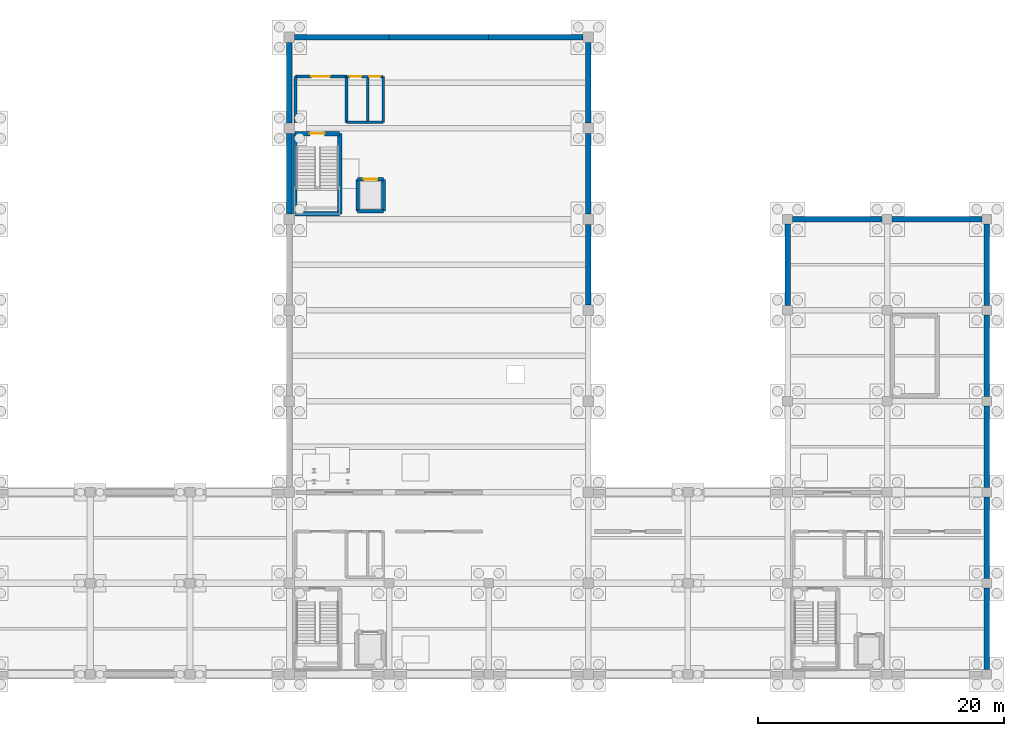
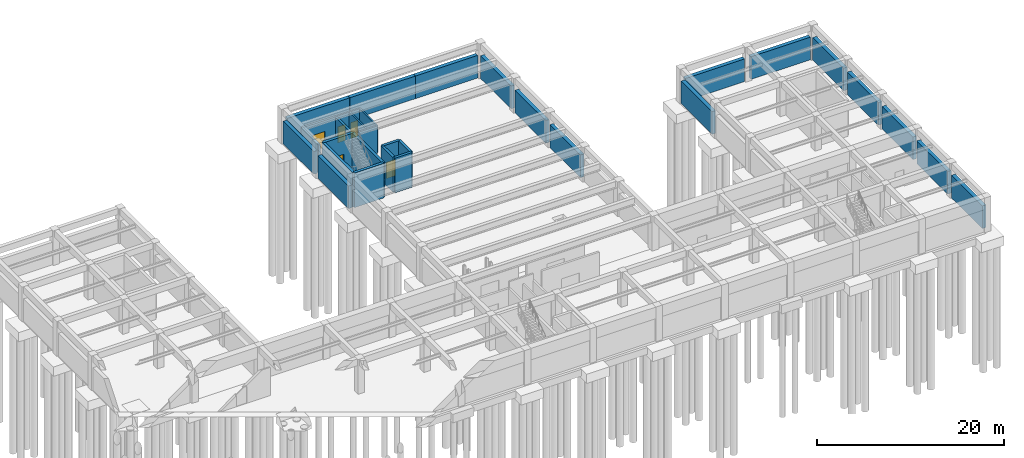
# One storey, part 10 of 14: 31 walls, 5 doors, 5 openings.
"""IFC4 building model written with IfcOpenShell, lengths in metres."""

from ifc_helpers import new_model, si_unit, direction, frame, frame_2d, origin, place, context, subcontext, project, spatial, rectangle, extrude, material, layer, layer_set, type_object, element, fill, save


model = new_model("IFC4")

# Units and contexts
model_context = context("Model", 3, precision=1e-05, world=origin(), true_north=direction((0.0, 1.0)))
body_context = subcontext(model_context, "Body", "Model", "MODEL_VIEW")
ifc_project = project(units=[si_unit("LENGTHUNIT", "METRE"), si_unit("AREAUNIT", "SQUARE_METRE"), si_unit("VOLUMEUNIT", "CUBIC_METRE"), si_unit("PLANEANGLEUNIT", "RADIAN"), si_unit("MASSUNIT", "GRAM", prefix="KILO")], contexts=[model_context])

# Site, building, storey
site_placement = place(None, origin())
site = spatial("IfcSite", under=ifc_project, at=site_placement, CompositionType="ELEMENT")
building_placement = place(site_placement, origin())
building = spatial("IfcBuilding", under=site, at=building_placement, Name="Cimatlan Art Gallery", CompositionType="ELEMENT")
storey_placement = place(building_placement, frame((0.0, 0.0, -4.800048828125)))
storey = spatial("IfcBuildingStorey", under=building, at=storey_placement, Name="B1", CompositionType="ELEMENT", Elevation=-4.800048828125)

# Walls
ifc_material_1 = material(Name="Concrete C40/50", Category="concrete")
ifc_layer_1 = layer(ifc_material_1, 0.31005859375)
ifc_layer_set_1 = layer_set([ifc_layer_1], Name="Concrete C40/50")
wall_type_1 = type_object("IfcWallType", Name="W-CORE-310", PredefinedType="SHEAR", material=ifc_layer_set_1)
wall_1_placement = place(storey_placement, frame((80.449951171875, 61.550048828125, 0.0), z_axis=(0.0, 0.0, 1.0), x_axis=(0.0, 1.0, 0.0)))
element("IfcWall", 1, at=wall_1_placement, inside=storey, type_object=wall_type_1, Name="WL-SHFT-C6-B1-LW", PredefinedType="SHEAR", context=body_context, shape_type="SweptSolid", body=[
    extrude(rectangle(XDim=2.599853515625, YDim=0.31005859375, at=frame_2d((1.2998046875, 0.0))), origin(), (0.0, 0.0, 1.0), 4.51513671875),
])
wall_2_placement = place(storey_placement, frame((80.449951171875, 61.550048828125, 0.0), z_axis=(0.0, 0.0, 1.0), x_axis=(1.0, 0.0, 0.0)))
element("IfcWall", 2, at=wall_2_placement, inside=storey, type_object=wall_type_1, Name="WL-SHFT-C6-B1-LS", PredefinedType="SHEAR", context=body_context, shape_type="SweptSolid", body=[
    extrude(rectangle(XDim=2.10009765625, YDim=0.31005859375, at=frame_2d((1.050048828125, 0.0))), origin(), (0.0, 0.0, 1.0), 4.51513671875),
])
wall_3_placement = place(storey_placement, frame((82.550048828125, 61.550048828125, 0.0), z_axis=(0.0, 0.0, 1.0), x_axis=(0.0, 1.0, 0.0)))
element("IfcWall", 3, at=wall_3_placement, inside=storey, type_object=wall_type_1, Name="WL-SHFT-C6-B1-LE", PredefinedType="SHEAR", context=body_context, shape_type="SweptSolid", body=[
    extrude(rectangle(XDim=2.599853515625, YDim=0.31005859375, at=frame_2d((1.2998046875, 0.0))), origin(), (0.0, 0.0, 1.0), 4.51513671875),
])

# Wall, opening, door
wall_4_placement = place(storey_placement, frame((80.449951171875, 64.14990234375, 0.0), z_axis=(0.0, 0.0, 1.0), x_axis=(1.0, 0.0, 0.0)))
wall_4 = element("IfcWall", 4, at=wall_4_placement, inside=storey, type_object=wall_type_1, Name="WL-SHFT-C6-B1-LN", PredefinedType="SHEAR", context=body_context, shape_type="SweptSolid", body=[
    extrude(rectangle(XDim=2.10009765625, YDim=0.31005859375, at=frame_2d((1.050048828125, 0.0))), origin(), (0.0, 0.0, 1.0), 4.51513671875),
])
opening_1_placement = place(wall_4_placement, frame((0.5, 0.0, 0.0)))
opening_1 = element("IfcOpeningElement", 5, at=opening_1_placement, cuts=wall_4, Name="Opening LD-C6-B1", PredefinedType="OPENING", context=body_context, shape_type="SweptSolid", body=[
    extrude(rectangle(XDim=1.10009765625, YDim=2.14990234375, at=frame_2d((0.550048828125, 1.074951171875))), frame((0.0, 0.1650390625, 0.0), z_axis=(0.0, -1.0, 0.0), x_axis=(1.0, 0.0, 0.0)), (0.0, 0.0, 1.0), 0.330078125),
])
ifc_material_2 = material(Name="Brushed bronze sliding lift landing door")
door_type_1 = type_object("IfcDoorType", Name="LD-PS-1100", OperationType="NOTDEFINED", PredefinedType="DOOR", material=ifc_material_2)
door_1_placement = place(opening_1_placement, origin())
door_1 = element("IfcDoor", 6, at=door_1_placement, inside=storey, type_object=door_type_1, Name="LD-PL-03-B1", OperationType="SLIDING_TO_LEFT", OverallHeight=2.14990234375, OverallWidth=1.10009765625, PredefinedType="DOOR", context=body_context, shape_type="SweptSolid", body=[
    extrude(rectangle(XDim=1.10009765625, YDim=2.14990234375, at=frame_2d((0.550048828125, 1.074951171875))), frame((0.0, 0.02490234375, 0.0), z_axis=(0.0, -1.0, 0.0), x_axis=(1.0, 0.0, 0.0)), (0.0, 0.0, 1.0), 0.050048828125),
])
fill(opening_1, door_1)

# Walls
ifc_layer_2 = layer(ifc_material_1, 0.35009765625)
ifc_layer_set_2 = layer_set([ifc_layer_2], Name="Concrete C40/50")
wall_type_2 = type_object("IfcWallType", Name="W-CORE-350", PredefinedType="SHEAR", material=ifc_layer_set_2)
wall_5_placement = place(storey_placement, frame((75.340087890625, 61.340087890625, 0.0), z_axis=(0.0, 0.0, 1.0), x_axis=(0.0, 1.0, 0.0)))
element("IfcWall", 7, at=wall_5_placement, inside=storey, type_object=wall_type_2, Name="WL-CORE-C6-B1-SW", PredefinedType="SHEAR", context=body_context, shape_type="SweptSolid", body=[
    extrude(rectangle(XDim=6.52001953125, YDim=0.35009765625, at=frame_2d((3.260009765625, 0.0))), origin(), (0.0, 0.0, 1.0), 4.51513671875),
])
wall_6_placement = place(storey_placement, frame((75.340087890625, 61.340087890625, 0.0), z_axis=(0.0, 0.0, 1.0), x_axis=(1.0, 0.0, 0.0)))
element("IfcWall", 8, at=wall_6_placement, inside=storey, type_object=wall_type_2, Name="WL-CORE-C6-B1-SS", PredefinedType="SHEAR", context=body_context, shape_type="SweptSolid", body=[
    extrude(rectangle(XDim=3.639892578125, YDim=0.35009765625, at=frame_2d((1.81982421875, 0.0))), origin(), (0.0, 0.0, 1.0), 4.51513671875),
])
wall_7_placement = place(storey_placement, frame((78.97998046875, 61.340087890625, 0.0), z_axis=(0.0, 0.0, 1.0), x_axis=(0.0, 1.0, 0.0)))
element("IfcWall", 9, at=wall_7_placement, inside=storey, type_object=wall_type_2, Name="WL-CORE-C6-B1-SE", PredefinedType="SHEAR", context=body_context, shape_type="SweptSolid", body=[
    extrude(rectangle(XDim=6.52001953125, YDim=0.35009765625, at=frame_2d((3.260009765625, 0.0))), origin(), (0.0, 0.0, 1.0), 4.51513671875),
])

# Wall, opening, door
wall_8_placement = place(storey_placement, frame((75.340087890625, 67.860107421875, 0.0), z_axis=(0.0, 0.0, 1.0), x_axis=(1.0, 0.0, 0.0)))
wall_8 = element("IfcWall", 10, at=wall_8_placement, inside=storey, type_object=wall_type_2, Name="WL-CORE-C6-B1-SN", PredefinedType="SHEAR", context=body_context, shape_type="SweptSolid", body=[
    extrude(rectangle(XDim=3.639892578125, YDim=0.35009765625, at=frame_2d((1.81982421875, 0.0))), origin(), (0.0, 0.0, 1.0), 4.51513671875),
])
opening_2_placement = place(wall_8_placement, frame((1.219970703125, 0.0, 0.0)))
opening_2 = element("IfcOpeningElement", 11, at=opening_2_placement, cuts=wall_8, Name="Opening FD-C6-B1", PredefinedType="OPENING", context=body_context, shape_type="SweptSolid", body=[
    extrude(rectangle(XDim=1.199951171875, YDim=2.14990234375, at=frame_2d((0.60009765625, 1.074951171875))), frame((0.0, 0.18505859375, 0.0), z_axis=(0.0, -1.0, 0.0), x_axis=(1.0, 0.0, 0.0)), (0.0, 0.0, 1.0), 0.3701171875),
])
ifc_material_3 = material(Name="Fire-resisting steel acoustic stair door", Category="steel")
door_type_2 = type_object("IfcDoorType", Name="FD-ST-1200", OperationType="NOTDEFINED", PredefinedType="DOOR", material=ifc_material_3)
door_2_placement = place(opening_2_placement, origin())
door_2 = element("IfcDoor", 12, at=door_2_placement, inside=storey, type_object=door_type_2, Name="DR-C6-B1-ST", OperationType="SINGLE_SWING_LEFT", OverallHeight=2.14990234375, OverallWidth=1.199951171875, PredefinedType="DOOR", context=body_context, shape_type="SweptSolid", body=[
    extrude(rectangle(XDim=1.199951171875, YDim=2.14990234375, at=frame_2d((0.60009765625, 1.074951171875))), frame((0.0, 0.02490234375, 0.0), z_axis=(0.0, -1.0, 0.0), x_axis=(1.0, 0.0, 0.0)), (0.0, 0.0, 1.0), 0.050048828125),
])
fill(opening_2, door_2)

ifc_material_4 = material(Name="Precast concrete C40/50", Category="concrete")
ifc_layer_3 = layer(ifc_material_4, 0.2451171875)
ifc_layer_set_3 = layer_set([ifc_layer_3], Name="Precast concrete C40/50")
wall_type_3 = type_object("IfcWallType", Name="W-FFL-245", PredefinedType="PARTITIONING", material=ifc_layer_set_3)
wall_9_placement = place(storey_placement, frame((75.3798828125, 72.5, 0.0), z_axis=(0.0, 0.0, 1.0), x_axis=(1.0, 0.0, 0.0)))
wall_9 = element("IfcWall", 13, at=wall_9_placement, inside=storey, type_object=wall_type_3, Name="WL-LOB-C6-B1-N", PredefinedType="PARTITIONING", context=body_context, shape_type="SweptSolid", body=[
    extrude(rectangle(XDim=4.170166015625, YDim=0.2451171875, at=frame_2d((2.0849609375, 0.0))), origin(), (0.0, 0.0, 1.0), 3.5830078125),
])
opening_3_placement = place(wall_9_placement, frame((1.300048828125, 0.0, 0.0)))
opening_3 = element("IfcOpeningElement", 14, at=opening_3_placement, cuts=wall_9, Name="Opening FDL-C6-B1", PredefinedType="OPENING", context=body_context, shape_type="SweptSolid", body=[
    extrude(rectangle(XDim=1.5, YDim=2.14990234375, at=frame_2d((0.75, 1.074951171875))), frame((0.0, 0.132568359375, 0.0), z_axis=(0.0, -1.0, 0.0), x_axis=(1.0, 0.0, 0.0)), (0.0, 0.0, 1.0), 0.26513671875),
])
ifc_material_5 = material(Name="Fire-resisting double-seal lobby door")
door_type_3 = type_object("IfcDoorType", Name="FD-LB-1500", OperationType="NOTDEFINED", PredefinedType="DOOR", material=ifc_material_5)
door_3_placement = place(opening_3_placement, origin())
door_3 = element("IfcDoor", 15, at=door_3_placement, inside=storey, type_object=door_type_3, Name="DR-LOB-C6-B1", OperationType="SINGLE_SWING_RIGHT", OverallHeight=2.14990234375, OverallWidth=1.5, PredefinedType="DOOR", context=body_context, shape_type="SweptSolid", body=[
    extrude(rectangle(XDim=1.5, YDim=2.14990234375, at=frame_2d((0.75, 1.074951171875))), frame((0.0, 0.02490234375, 0.0), z_axis=(0.0, -1.0, 0.0), x_axis=(1.0, 0.0, 0.0)), (0.0, 0.0, 1.0), 0.050048828125),
])
fill(opening_3, door_3)

# Walls
for number, where, z_axis, x_axis, name in (
    (16, (75.3798828125, 68.780029296875, 0.0), (0.0, 0.0, 1.0), (0.0, 1.0, 0.0), "WL-LOB-C6-B1-W"),
    (17, (79.550048828125, 68.780029296875, 0.0), (0.0, 0.0, 1.0), (0.0, 1.0, 0.0), "WL-LOB-C6-B1-M"),
):
    element("IfcWall", number, at=place(storey_placement, frame(where, z_axis=z_axis, x_axis=x_axis)), inside=storey, type_object=wall_type_3, Name=name, PredefinedType="PARTITIONING", context=body_context, shape_type="SweptSolid", body=[
        extrude(rectangle(XDim=3.719970703125, YDim=0.2451171875, at=frame_2d((1.85986328125, 0.0))), origin(), (0.0, 0.0, 1.0), 3.5830078125),
    ])
ifc_material_6 = material(Name="Moisture-resistant fire-rated plumbing wall")
ifc_layer_4 = layer(ifc_material_6, 0.195068359375)
ifc_layer_set_4 = layer_set([ifc_layer_4], Name="Moisture-resistant fire-rated plumbing wall")
wall_type_4 = type_object("IfcWallType", Name="W-PLM-195", PredefinedType="PARTITIONING", material=ifc_layer_set_4)
for number, where, z_axis, x_axis, name in (
    (18, (81.25, 68.780029296875, 0.0), (0.0, 0.0, 1.0), (0.0, 1.0, 0.0), "WL-LOB-C6-B1-D"),
    (19, (82.52001953125, 68.780029296875, 0.0), (0.0, 0.0, 1.0), (0.0, 1.0, 0.0), "WL-LOB-C6-B1-E"),
):
    element("IfcWall", number, at=place(storey_placement, frame(where, z_axis=z_axis, x_axis=x_axis)), inside=storey, type_object=wall_type_4, Name=name, PredefinedType="PARTITIONING", context=body_context, shape_type="SweptSolid", body=[
        extrude(rectangle(XDim=3.719970703125, YDim=0.195068359375, at=frame_2d((1.85986328125, 0.0))), origin(), (0.0, 0.0, 1.0), 3.5830078125),
    ])
wall_10_placement = place(storey_placement, frame((79.550048828125, 68.780029296875, 0.0), z_axis=(0.0, 0.0, 1.0), x_axis=(1.0, 0.0, 0.0)))
element("IfcWall", 20, at=wall_10_placement, inside=storey, type_object=wall_type_4, Name="WL-LOB-C6-B1-S", PredefinedType="PARTITIONING", context=body_context, shape_type="SweptSolid", body=[
    extrude(rectangle(XDim=2.969970703125, YDim=0.195068359375, at=frame_2d((1.48486328125, 0.0))), origin(), (0.0, 0.0, 1.0), 3.5830078125),
])

# Wall, openings, doors
wall_11_placement = place(storey_placement, frame((79.550048828125, 72.5, 0.0), z_axis=(0.0, 0.0, 1.0), x_axis=(1.0, 0.0, 0.0)))
wall_11 = element("IfcWall", 21, at=wall_11_placement, inside=storey, type_object=wall_type_4, Name="WL-WC-C6-B1-N", PredefinedType="PARTITIONING", context=body_context, shape_type="SweptSolid", body=[
    extrude(rectangle(XDim=2.969970703125, YDim=0.195068359375, at=frame_2d((1.48486328125, 0.0))), origin(), (0.0, 0.0, 1.0), 3.5830078125),
])
opening_4_placement = place(wall_11_placement, frame((0.25, 0.0, 0.0)))
opening_4 = element("IfcOpeningElement", 22, at=opening_4_placement, cuts=wall_11, Name="Opening DWC-C6A-B1", PredefinedType="OPENING", context=body_context, shape_type="SweptSolid", body=[
    extrude(rectangle(XDim=0.949951171875, YDim=2.10009765625, at=frame_2d((0.47509765625, 1.050048828125))), frame((0.0, 0.107421875, 0.0), z_axis=(0.0, -1.0, 0.0), x_axis=(1.0, 0.0, 0.0)), (0.0, 0.0, 1.0), 0.215087890625),
])
opening_5_placement = place(wall_11_placement, frame((1.820068359375, 0.0, 0.0)))
opening_5 = element("IfcOpeningElement", 23, at=opening_5_placement, cuts=wall_11, Name="Opening DWC-C6B-B1", PredefinedType="OPENING", context=body_context, shape_type="SweptSolid", body=[
    extrude(rectangle(XDim=0.89990234375, YDim=2.10009765625, at=frame_2d((0.449951171875, 1.050048828125))), frame((0.0, 0.107421875, 0.0), z_axis=(0.0, -1.0, 0.0), x_axis=(1.0, 0.0, 0.0)), (0.0, 0.0, 1.0), 0.215087890625),
])
ifc_material_7 = material(Name="Sanitary room door")
door_type_4 = type_object("IfcDoorType", Name="DI-WC-0900", OperationType="NOTDEFINED", PredefinedType="DOOR", material=ifc_material_7)
door_4_placement = place(opening_5_placement, origin())
door_4 = element("IfcDoor", 24, at=door_4_placement, inside=storey, type_object=door_type_4, Name="DR-PWC-C6-B1", OperationType="SINGLE_SWING_RIGHT", OverallHeight=2.10009765625, OverallWidth=0.89990234375, PredefinedType="DOOR", context=body_context, shape_type="SweptSolid", body=[
    extrude(rectangle(XDim=0.89990234375, YDim=2.10009765625, at=frame_2d((0.449951171875, 1.050048828125))), frame((0.0, 0.02490234375, 0.0), z_axis=(0.0, -1.0, 0.0), x_axis=(1.0, 0.0, 0.0)), (0.0, 0.0, 1.0), 0.050048828125),
])
fill(opening_5, door_4)
ifc_material_8 = material(Name="Accessible sanitary room door")
door_type_5 = type_object("IfcDoorType", Name="DI-WC-0950", OperationType="NOTDEFINED", PredefinedType="DOOR", material=ifc_material_8)
door_5_placement = place(opening_4_placement, origin())
door_5 = element("IfcDoor", 25, at=door_5_placement, inside=storey, type_object=door_type_5, Name="DR-AWC-C6-B1", OperationType="SINGLE_SWING_LEFT", OverallHeight=2.10009765625, OverallWidth=0.949951171875, PredefinedType="DOOR", context=body_context, shape_type="SweptSolid", body=[
    extrude(rectangle(XDim=0.949951171875, YDim=2.10009765625, at=frame_2d((0.47509765625, 1.050048828125))), frame((0.0, 0.02490234375, 0.0), z_axis=(0.0, -1.0, 0.0), x_axis=(1.0, 0.0, 0.0)), (0.0, 0.0, 1.0), 0.050048828125),
])
fill(opening_4, door_5)

# Walls
ifc_layer_5 = layer(ifc_material_1, 0.449951171875)
ifc_layer_set_5 = layer_set([ifc_layer_5], Name="Concrete C40/50")
wall_type_5 = type_object("IfcWallType", Name="WL-RET-450", PredefinedType="USERDEFINED", material=ifc_layer_set_5)
wall_12_placement = place(storey_placement, frame((74.89990234375, 61.3291015625, 0.0), z_axis=(0.0, 0.0, 1.0), x_axis=(0.0, 1.0, 0.0)))
element("IfcWall", 26, at=wall_12_placement, inside=storey, type_object=wall_type_5, Name="WL-B1-RET-043", ObjectType="RETAININGWALL", PredefinedType="USERDEFINED", context=body_context, shape_type="SweptSolid", body=[
    extrude(rectangle(XDim=6.5419921875, YDim=0.449951171875, at=frame_2d((3.27099609375, 0.0))), origin(), (0.0, 0.0, 1.0), 2.949951171875),
])
wall_13_placement = place(storey_placement, frame((75.3291015625, 75.699951171875, 0.0), z_axis=(0.0, 0.0, 1.0), x_axis=(1.0, 0.0, 0.0)))
element("IfcWall", 27, at=wall_13_placement, inside=storey, type_object=wall_type_5, Name="WL-B1-RET-044", ObjectType="RETAININGWALL", PredefinedType="USERDEFINED", context=body_context, shape_type="SweptSolid", body=[
    extrude(rectangle(XDim=7.6669921875, YDim=0.449951171875, at=frame_2d((3.83349609375, 0.0))), origin(), (0.0, 0.0, 1.0), 2.949951171875),
])
wall_14_placement = place(storey_placement, frame((74.89990234375, 68.72900390625, 0.0), z_axis=(0.0, 0.0, 1.0), x_axis=(0.0, 1.0, 0.0)))
element("IfcWall", 28, at=wall_14_placement, inside=storey, type_object=wall_type_5, Name="WL-B1-RET-045", ObjectType="RETAININGWALL", PredefinedType="USERDEFINED", context=body_context, shape_type="SweptSolid", body=[
    extrude(rectangle(XDim=6.5419921875, YDim=0.449951171875, at=frame_2d((3.27099609375, 0.0))), origin(), (0.0, 0.0, 1.0), 2.949951171875),
])
wall_15_placement = place(storey_placement, frame((83.00390625, 75.699951171875, 0.0), z_axis=(0.0, 0.0, 1.0), x_axis=(1.0, 0.0, 0.0)))
element("IfcWall", 29, at=wall_15_placement, inside=storey, type_object=wall_type_5, Name="WL-B1-RET-047", ObjectType="RETAININGWALL", PredefinedType="USERDEFINED", context=body_context, shape_type="SweptSolid", body=[
    extrude(rectangle(XDim=8.092041015625, YDim=0.449951171875, at=frame_2d((4.0458984375, 0.0))), origin(), (0.0, 0.0, 1.0), 2.949951171875),
])
for number, where, z_axis, x_axis, name in (
    (30, (99.199951171875, 60.470947265625, 0.0), (0.0, 0.0, 1.0), (0.0, -1.0, 0.0), "WL-B1-RET-051"),
    (31, (99.199951171875, 67.87109375, 0.0), (0.0, 0.0, 1.0), (0.0, -1.0, 0.0), "WL-B1-RET-052"),
):
    element("IfcWall", number, at=place(storey_placement, frame(where, z_axis=z_axis, x_axis=x_axis)), inside=storey, type_object=wall_type_5, Name=name, ObjectType="RETAININGWALL", PredefinedType="USERDEFINED", context=body_context, shape_type="SweptSolid", body=[
        extrude(rectangle(XDim=6.5419921875, YDim=0.449951171875, at=frame_2d((3.27099609375, 0.0))), origin(), (0.0, 0.0, 1.0), 2.949951171875),
    ])
wall_16_placement = place(storey_placement, frame((91.10400390625, 75.699951171875, 0.0), z_axis=(0.0, 0.0, 1.0), x_axis=(1.0, 0.0, 0.0)))
element("IfcWall", 32, at=wall_16_placement, inside=storey, type_object=wall_type_5, Name="WL-B1-RET-053", ObjectType="RETAININGWALL", PredefinedType="USERDEFINED", context=body_context, shape_type="SweptSolid", body=[
    extrude(rectangle(XDim=7.6669921875, YDim=0.449951171875, at=frame_2d((3.83349609375, 0.0))), origin(), (0.0, 0.0, 1.0), 2.949951171875),
])
wall_17_placement = place(storey_placement, frame((99.199951171875, 75.27099609375, 0.0), z_axis=(0.0, 0.0, 1.0), x_axis=(0.0, -1.0, 0.0)))
element("IfcWall", 33, at=wall_17_placement, inside=storey, type_object=wall_type_5, Name="WL-B1-RET-054", ObjectType="RETAININGWALL", PredefinedType="USERDEFINED", context=body_context, shape_type="SweptSolid", body=[
    extrude(rectangle(XDim=6.5419921875, YDim=0.449951171875, at=frame_2d((3.27099609375, 0.0))), origin(), (0.0, 0.0, 1.0), 2.949951171875),
])
wall_18_placement = place(storey_placement, frame((115.803955078125, 60.89990234375, 0.0), z_axis=(0.0, 0.0, 1.0), x_axis=(1.0, 0.0, 0.0)))
element("IfcWall", 34, at=wall_18_placement, inside=storey, type_object=wall_type_5, Name="WL-B1-RET-062", ObjectType="RETAININGWALL", PredefinedType="USERDEFINED", context=body_context, shape_type="SweptSolid", body=[
    extrude(rectangle(XDim=7.2919921875, YDim=0.449951171875, at=frame_2d((3.64599609375, 0.0))), origin(), (0.0, 0.0, 1.0), 2.949951171875),
])
for number, where, z_axis, x_axis, name in (
    (35, (115.39990234375, 53.904052734375, 0.0), (0.0, 0.0, 1.0), (0.0, 1.0, 0.0), "WL-B1-RET-063"),
    (36, (131.60009765625, 30.89599609375, 0.0), (0.0, 0.0, 1.0), (0.0, -1.0, 0.0), "WL-B1-RET-065"),
):
    element("IfcWall", number, at=place(storey_placement, frame(where, z_axis=z_axis, x_axis=x_axis)), inside=storey, type_object=wall_type_5, Name=name, ObjectType="RETAININGWALL", PredefinedType="USERDEFINED", context=body_context, shape_type="SweptSolid", body=[
        extrude(rectangle(XDim=6.592041015625, YDim=0.449951171875, at=frame_2d((3.2958984375, 0.0))), origin(), (0.0, 0.0, 1.0), 2.949951171875),
    ])
wall_19_placement = place(storey_placement, frame((131.60009765625, 38.2958984375, 0.0), z_axis=(0.0, 0.0, 1.0), x_axis=(0.0, -1.0, 0.0)))
element("IfcWall", 37, at=wall_19_placement, inside=storey, type_object=wall_type_5, Name="WL-B1-RET-066", ObjectType="RETAININGWALL", PredefinedType="USERDEFINED", context=body_context, shape_type="SweptSolid", body=[
    extrude(rectangle(XDim=6.591796875, YDim=0.449951171875, at=frame_2d((3.2958984375, 0.0))), origin(), (0.0, 0.0, 1.0), 2.949951171875),
])
for number, where, z_axis, x_axis, name in (
    (38, (131.60009765625, 45.696044921875, 0.0), (0.0, 0.0, 1.0), (0.0, -1.0, 0.0), "WL-B1-RET-067"),
    (39, (131.60009765625, 53.095947265625, 0.0), (0.0, 0.0, 1.0), (0.0, -1.0, 0.0), "WL-B1-RET-068"),
):
    element("IfcWall", number, at=place(storey_placement, frame(where, z_axis=z_axis, x_axis=x_axis)), inside=storey, type_object=wall_type_5, Name=name, ObjectType="RETAININGWALL", PredefinedType="USERDEFINED", context=body_context, shape_type="SweptSolid", body=[
        extrude(rectangle(XDim=6.592041015625, YDim=0.449951171875, at=frame_2d((3.2958984375, 0.0))), origin(), (0.0, 0.0, 1.0), 2.949951171875),
    ])
wall_20_placement = place(storey_placement, frame((123.904052734375, 60.89990234375, 0.0), z_axis=(0.0, 0.0, 1.0), x_axis=(1.0, 0.0, 0.0)))
element("IfcWall", 40, at=wall_20_placement, inside=storey, type_object=wall_type_5, Name="WL-B1-RET-069", ObjectType="RETAININGWALL", PredefinedType="USERDEFINED", context=body_context, shape_type="SweptSolid", body=[
    extrude(rectangle(XDim=7.2919921875, YDim=0.449951171875, at=frame_2d((3.64599609375, 0.0))), origin(), (0.0, 0.0, 1.0), 2.949951171875),
])
wall_21_placement = place(storey_placement, frame((131.60009765625, 60.49609375, 0.0), z_axis=(0.0, 0.0, 1.0), x_axis=(0.0, -1.0, 0.0)))
element("IfcWall", 41, at=wall_21_placement, inside=storey, type_object=wall_type_5, Name="WL-B1-RET-070", ObjectType="RETAININGWALL", PredefinedType="USERDEFINED", context=body_context, shape_type="SweptSolid", body=[
    extrude(rectangle(XDim=6.592041015625, YDim=0.449951171875, at=frame_2d((3.2958984375, 0.0))), origin(), (0.0, 0.0, 1.0), 2.949951171875),
])

save(model, "model.ifc")
